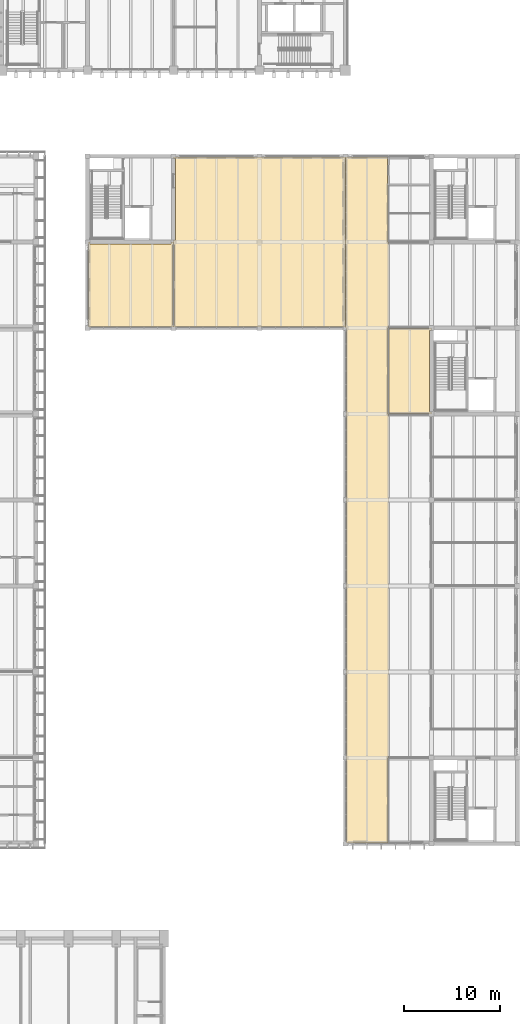
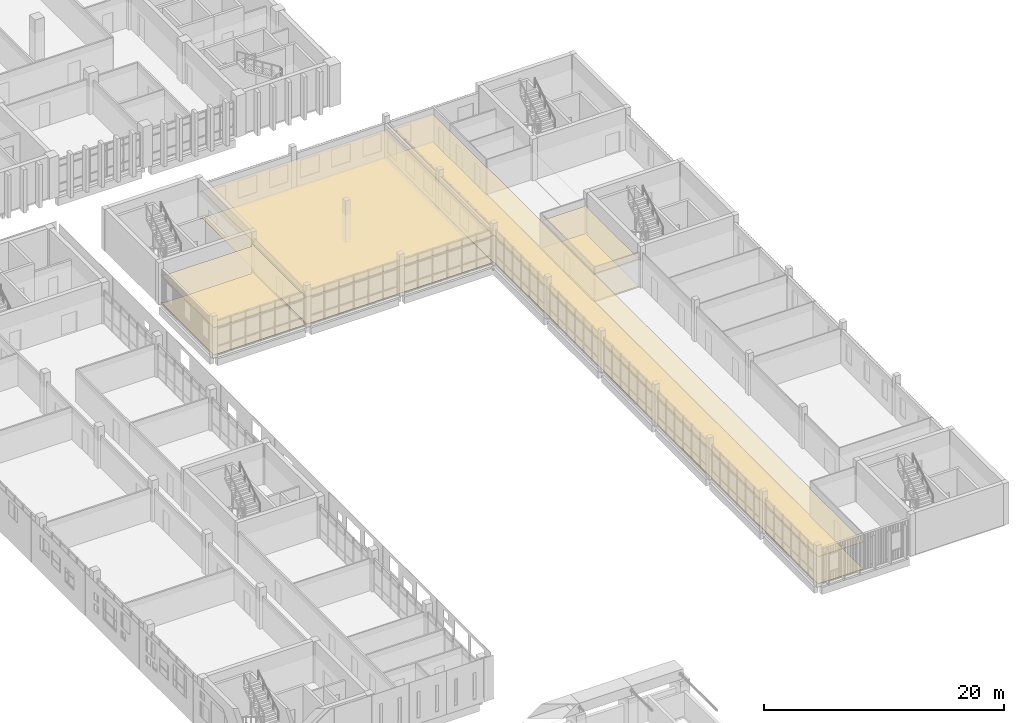
# One storey, part 82 of 92: 8 coverings.
"""IFC4 building model written with IfcOpenShell, lengths in metres."""

import ifcopenshell
import ifcopenshell.guid

model = None  # the IFC model being written
_history = None  # IfcOwnerHistory: only IFC2X3 demands one
_inside = {}  # id of a spatial element -> (the spatial element, [elements in it])
_under = {}  # id of a project, library or spatial element -> (it, [spatial elements below it])
_declared = {}  # id of a project -> (the project, [libraries it declares])
_typed = {}  # id of a type object -> (the type object, [elements of that type])
_made_of = {}  # id of a material, layer set ... -> (it, [elements and type objects made of it])


def new_model(schema):
    """Start an empty IFC model of exactly this schema.

    Asked for "IFC4X3", IfcOpenShell would pick the latest addendum, in which some entities
    have other attributes; the version numbers below select the first issue.
    IFC2X3 requires an IfcOwnerHistory on every rooted entity: one is made here for all.
    """
    global model, _history
    if schema == "IFC4X3":
        model = ifcopenshell.file(schema_version=(4, 3, 0, 0))
    else:
        model = ifcopenshell.file(schema=schema)
    _inside.clear()
    _under.clear()
    _declared.clear()
    _typed.clear()
    _made_of.clear()
    _history = None
    if model.schema == "IFC2X3":
        org = make("IfcOrganization", Name="unknown")
        user = make(
            "IfcPersonAndOrganization",
            ThePerson=make("IfcPerson", FamilyName="unknown"),
            TheOrganization=org,
        )
        app = make(
            "IfcApplication",
            ApplicationDeveloper=org,
            Version="unknown",
            ApplicationFullName="unknown",
            ApplicationIdentifier="unknown",
        )
        _history = make(
            "IfcOwnerHistory",
            OwningUser=user,
            OwningApplication=app,
            ChangeAction="ADDED",
            CreationDate=0,
        )
    return model


def make(cls, **values):
    """One entity of the class cls with the attributes given. An attribute that is None is left unset."""
    return model.create_entity(
        cls, **{name: value for name, value in values.items() if value is not None}
    )


def rooted(cls, **values):
    """An entity with a GlobalId (a new one), such as an element, a storey or a relation."""
    return make(cls, GlobalId=ifcopenshell.guid.new(), OwnerHistory=_history, **values)


def si_unit(unit_type, name, prefix=None):
    """IfcSIUnit, for example si_unit("LENGTHUNIT", "METRE", prefix="MILLI")."""
    return make("IfcSIUnit", UnitType=unit_type, Prefix=prefix, Name=name)


def assignment(units):
    """IfcUnitAssignment: the units of a project."""
    return None if units is None else make("IfcUnitAssignment", Units=units)


def point(xyz):
    """IfcCartesianPoint."""
    return None if xyz is None else make("IfcCartesianPoint", Coordinates=xyz)


def direction(xyz):
    """IfcDirection."""
    return None if xyz is None else make("IfcDirection", DirectionRatios=xyz)


def frame(location, z_axis=None, x_axis=None):
    """IfcAxis2Placement3D, a coordinate frame: its origin and axes. An axis left out is left unset."""
    return make(
        "IfcAxis2Placement3D",
        Location=point(location),
        Axis=direction(z_axis),
        RefDirection=direction(x_axis),
    )


def origin():
    """The frame at (0, 0, 0) with its axes left unset."""
    return frame((0.0, 0.0, 0.0))


def place(relative_to, where):
    """IfcLocalPlacement: puts the frame where relative to a parent placement (None: the world)."""
    return make(
        "IfcLocalPlacement", PlacementRelTo=relative_to, RelativePlacement=where
    )


def context(
    kind, dimensions, precision=None, world=None, true_north=None, identifier=None
):
    """IfcGeometricRepresentationContext, for example the 3D "Model" context."""
    return make(
        "IfcGeometricRepresentationContext",
        ContextIdentifier=identifier,
        ContextType=kind,
        CoordinateSpaceDimension=dimensions,
        Precision=precision,
        WorldCoordinateSystem=world,
        TrueNorth=true_north,
    )


def subcontext(parent, identifier, kind, view, scale=None):
    """IfcGeometricRepresentationSubContext, for example "Body" below "Model"."""
    return make(
        "IfcGeometricRepresentationSubContext",
        ContextIdentifier=identifier,
        ContextType=kind,
        ParentContext=parent,
        TargetScale=scale,
        TargetView=view,
    )


def project(units=None, contexts=None):
    """IfcProject with its units and contexts."""
    return rooted(
        "IfcProject",
        Name="project",
        RepresentationContexts=contexts,
        UnitsInContext=assignment(units),
    )


def spatial(cls, under=None, at=None, **own):
    """A site, building, storey or space (cls), placed at a placement, below another one or the project."""
    s = rooted(cls, ObjectPlacement=at, **own)
    if under is not None:
        _under.setdefault(under.id(), (under, []))[1].append(s)
    return s


def polyline(points):
    """IfcPolyline through the points."""
    return make("IfcPolyline", Points=[point(p) for p in points])


def outline(outer, holes=None, kind="AREA"):
    """IfcArbitraryClosedProfileDef: a profile drawn as a closed curve; with holes, ...WithVoids."""
    if holes is None:
        return make("IfcArbitraryClosedProfileDef", ProfileType=kind, OuterCurve=outer)
    return make(
        "IfcArbitraryProfileDefWithVoids",
        ProfileType=kind,
        OuterCurve=outer,
        InnerCurves=holes,
    )


def extrude(swept, where, along, depth):
    """IfcExtrudedAreaSolid: the profile swept, set in the frame where, extruded along a direction by depth."""
    return make(
        "IfcExtrudedAreaSolid",
        SweptArea=swept,
        Position=where,
        ExtrudedDirection=direction(along),
        Depth=depth,
    )


def shape(context_of_items, identifier, shape_type, items):
    """IfcShapeRepresentation: the items that make up one representation, for example the "Body"."""
    return make(
        "IfcShapeRepresentation",
        ContextOfItems=context_of_items,
        RepresentationIdentifier=identifier,
        RepresentationType=shape_type,
        Items=items,
    )


def material(Name=None, Category=None):
    """IfcMaterial."""
    return make("IfcMaterial", Name=Name, Category=Category)


def layer(
    of_material, thickness, ventilated=None, Name=None, Category=None, Priority=None
):
    """IfcMaterialLayer: one layer of a wall or slab, of a material (None: an air gap)."""
    return make(
        "IfcMaterialLayer",
        Material=of_material,
        LayerThickness=thickness,
        IsVentilated=ventilated,
        Name=Name,
        Category=Category,
        Priority=Priority,
    )


def layer_set(layers, Name=None):
    """IfcMaterialLayerSet."""
    return make("IfcMaterialLayerSet", MaterialLayers=layers, LayerSetName=Name)


def made_of(thing, what):
    """Note that an element or type object is made of a material, layer set ...; save() writes the relation."""
    if what is not None:
        _made_of.setdefault(what.id(), (what, []))[1].append(thing)
    return thing


def type_object(cls, material=None, **own):
    """A type object (cls), such as IfcWallType, which elements share."""
    return made_of(rooted(cls, **own), material)


def element(
    cls,
    number,
    at=None,
    inside=None,
    cuts=None,
    type_object=None,
    material=None,
    context=None,
    identifier="Body",
    shape_type=None,
    held_by="IfcProductDefinitionShape",
    body=None,
    shapes=None,
    **own,
):
    """One element of the class cls, such as IfcWall. Its Tag is "e" and its number.

    at: its placement. inside: the storey or other place that contains it. cuts: it is an
    opening in that element (IfcRelVoidsElement). A single representation is given by context,
    identifier, shape_type and body (its items); several are given by shapes. held_by: the class
    of the entity that holds the representations. save() writes the other relations.
    """
    e = rooted(cls, Tag="e%d" % number, ObjectPlacement=at, **own)
    if body is not None:
        shapes = [shape(context, identifier, shape_type, body)]
    if shapes is not None:
        e.Representation = make(held_by, Representations=shapes)
    if inside is not None:
        _inside.setdefault(inside.id(), (inside, []))[1].append(e)
    if cuts is not None:
        rooted(
            "IfcRelVoidsElement", RelatingBuildingElement=cuts, RelatedOpeningElement=e
        )
    if type_object is not None:
        _typed.setdefault(type_object.id(), (type_object, []))[1].append(e)
    return made_of(e, material)


def aggregate(whole, parts):
    """IfcRelAggregates: a whole, such as a stair, and the parts it consists of."""
    return rooted("IfcRelAggregates", RelatingObject=whole, RelatedObjects=parts)


def save(model, path):
    """Write the relations noted so far, then the file.

    IfcRelAggregates (storeys below a building ...), IfcRelContainedInSpatialStructure (elements
    in a storey), IfcRelDefinesByType, IfcRelAssociatesMaterial and IfcRelDeclares: one each for
    every whole, place, type object, material and project.
    """
    for whole, parts in _under.values():
        aggregate(whole, parts)
    for where, things in _inside.values():
        rooted(
            "IfcRelContainedInSpatialStructure",
            RelatedElements=things,
            RelatingStructure=where,
        )
    for kind, things in _typed.values():
        rooted("IfcRelDefinesByType", RelatedObjects=things, RelatingType=kind)
    for what, things in _made_of.values():
        rooted("IfcRelAssociatesMaterial", RelatedObjects=things, RelatingMaterial=what)
    for by, libraries in _declared.values():
        rooted("IfcRelDeclares", RelatingContext=by, RelatedDefinitions=libraries)
    model.write(path)


model = new_model("IFC4")

# Units and contexts
model_context = context("Model", 3, precision=1e-05, world=origin(), true_north=direction((0.0, 1.0)))
body_context = subcontext(model_context, "Body", "Model", "MODEL_VIEW")
ifc_project = project(units=[si_unit("LENGTHUNIT", "METRE"), si_unit("AREAUNIT", "SQUARE_METRE"), si_unit("VOLUMEUNIT", "CUBIC_METRE"), si_unit("PLANEANGLEUNIT", "RADIAN"), si_unit("MASSUNIT", "GRAM", prefix="KILO")], contexts=[model_context])

# Site, building, storey
site_placement = place(None, origin())
site = spatial("IfcSite", under=ifc_project, at=site_placement, CompositionType="ELEMENT")
building_placement = place(site_placement, origin())
building = spatial("IfcBuilding", under=site, at=building_placement, Name="Merrow Basin Faculty of Sciences", CompositionType="ELEMENT")
storey_placement = place(building_placement, frame((0.0, 0.0, 4.5)))
storey = spatial("IfcBuildingStorey", under=building, at=storey_placement, Name="L01", CompositionType="ELEMENT", Elevation=4.5)

# Coverings
ifc_material_1 = material(Name="Carpet tile floor")
ifc_layer_1 = layer(ifc_material_1, 0.02001953125)
ifc_layer_set_1 = layer_set([ifc_layer_1], Name="Carpet tile floor")
covering_type_1 = type_object("IfcCoveringType", Name="Carpet tile floor", PredefinedType="FLOORING", material=ifc_layer_set_1)
covering_1_placement = place(storey_placement, origin())
element("IfcCovering", 1, at=covering_1_placement, inside=storey, type_object=covering_type_1, Name="Floor finish L01-C-022", PredefinedType="FLOORING", context=body_context, shape_type="SweptSolid", body=[
    extrude(outline(polyline([(36.010009765625, 115.110107421875), (36.010009765625, 115.239990234375), (36.06005859375, 115.239990234375), (36.06005859375, 123.760009765625), (36.010009765625, 123.760009765625), (36.010009765625, 124.239990234375), (36.2099609375, 124.239990234375), (36.2099609375, 132.760009765625), (36.010009765625, 132.760009765625), (36.010009765625, 132.889892578125), (53.989990234375, 132.889892578125), (53.989990234375, 115.110107421875), (36.010009765625, 115.110107421875)])), origin(), (0.0, 0.0, 1.0), 0.02001953125),
])
covering_2_placement = place(storey_placement, origin())
element("IfcCovering", 2, at=covering_2_placement, inside=storey, type_object=covering_type_1, Name="Floor finish L01-C-023", PredefinedType="FLOORING", context=body_context, shape_type="SweptSolid", body=[
    extrude(outline(polyline([(35.989990234375, 123.760009765625), (35.93994140625, 123.760009765625), (35.93994140625, 115.239990234375), (35.989990234375, 115.239990234375), (35.989990234375, 115.110107421875), (27.110107421875, 115.110107421875), (27.110107421875, 123.989990234375), (27.239990234375, 123.989990234375), (27.239990234375, 123.7900390625), (35.760009765625, 123.7900390625), (35.760009765625, 123.989990234375), (35.989990234375, 123.989990234375), (35.989990234375, 123.760009765625)])), origin(), (0.0, 0.0, 1.0), 0.02001953125),
])
covering_3_placement = place(storey_placement, origin())
element("IfcCovering", 3, at=covering_3_placement, inside=storey, type_object=covering_type_1, Name="Floor finish L01-C-025", PredefinedType="FLOORING", context=body_context, shape_type="SweptSolid", body=[
    extrude(outline(polyline([(62.989990234375, 114.989990234375), (62.989990234375, 114.760009765625), (62.7900390625, 114.760009765625), (62.7900390625, 106.239990234375), (62.989990234375, 106.239990234375), (62.989990234375, 106.010009765625), (62.760009765625, 106.010009765625), (62.760009765625, 106.06005859375), (58.56005859375, 106.06005859375), (58.56005859375, 114.93994140625), (62.760009765625, 114.93994140625), (62.760009765625, 114.989990234375), (62.989990234375, 114.989990234375)])), origin(), (0.0, 0.0, 1.0), 0.02001953125),
])
ifc_material_2 = material(Name="Polished terrazzo floor")
ifc_layer_2 = layer(ifc_material_2, 0.02001953125)
ifc_layer_set_2 = layer_set([ifc_layer_2], Name="Polished terrazzo floor")
covering_type_2 = type_object("IfcCoveringType", Name="Polished terrazzo floor", PredefinedType="FLOORING", material=ifc_layer_set_2)
covering_4_placement = place(storey_placement, origin())
element("IfcCovering", 4, at=covering_4_placement, inside=storey, type_object=covering_type_2, Name="Floor finish L01-C-017", PredefinedType="FLOORING", context=body_context, shape_type="SweptSolid", body=[
    extrude(outline(polyline([(54.010009765625, 115.010009765625), (54.010009765625, 132.889892578125), (58.4150390625, 132.889892578125), (58.4150390625, 129.989990234375), (58.43994140625, 129.989990234375), (58.43994140625, 123.989990234375), (58.489990234375, 123.989990234375), (58.489990234375, 115.010009765625), (58.43994140625, 115.010009765625), (58.43994140625, 105.989990234375), (58.489990234375, 105.989990234375), (58.489990234375, 70.010009765625), (58.43994140625, 70.010009765625), (58.43994140625, 61.110107421875), (54.110107421875, 61.110107421875), (54.110107421875, 115.010009765625), (54.010009765625, 115.010009765625)])), origin(), (0.0, 0.0, 1.0), 0.02001953125),
])
ifc_material_3 = material(Name="Mineral fibre ceiling tile")
ifc_layer_3 = layer(ifc_material_3, 0.050048828125)
ifc_layer_set_3 = layer_set([ifc_layer_3], Name="Suspended acoustic ceiling tile")
covering_type_3 = type_object("IfcCoveringType", Name="Suspended acoustic ceiling tile", PredefinedType="CEILING", material=ifc_layer_set_3)
covering_5_placement = place(storey_placement, frame((0.0, 0.0, 2.75)))
element("IfcCovering", 5, at=covering_5_placement, inside=storey, type_object=covering_type_3, Name="Ceiling L01-C-017", PredefinedType="CEILING", context=body_context, shape_type="SweptSolid", body=[
    extrude(outline(polyline([(54.0, 115.0), (54.0, 132.89990234375), (58.425048828125, 132.89990234375), (58.425048828125, 130.0), (58.449951171875, 130.0), (58.449951171875, 124.0), (58.5, 124.0), (58.5, 115.0), (58.449951171875, 115.0), (58.449951171875, 106.0), (58.5, 106.0), (58.5, 70.0), (58.449951171875, 70.0), (58.449951171875, 61.10009765625), (54.10009765625, 61.10009765625), (54.10009765625, 115.0), (54.0, 115.0)])), origin(), (0.0, 0.0, 1.0), 0.050048828125),
])
covering_6_placement = place(storey_placement, frame((0.0, 0.0, 2.75)))
element("IfcCovering", 6, at=covering_6_placement, inside=storey, type_object=covering_type_3, Name="Ceiling L01-C-022", PredefinedType="CEILING", context=body_context, shape_type="SweptSolid", body=[
    extrude(outline(polyline([(36.0, 115.10009765625), (36.0, 115.25), (36.050048828125, 115.25), (36.050048828125, 123.75), (36.0, 123.75), (36.0, 124.25), (36.199951171875, 124.25), (36.199951171875, 132.75), (36.0, 132.75), (36.0, 132.89990234375), (54.0, 132.89990234375), (54.0, 115.10009765625), (36.0, 115.10009765625)])), origin(), (0.0, 0.0, 1.0), 0.050048828125),
])
covering_7_placement = place(storey_placement, frame((0.0, 0.0, 2.75)))
element("IfcCovering", 7, at=covering_7_placement, inside=storey, type_object=covering_type_3, Name="Ceiling L01-C-023", PredefinedType="CEILING", context=body_context, shape_type="SweptSolid", body=[
    extrude(outline(polyline([(36.0, 123.75), (35.949951171875, 123.75), (35.949951171875, 115.25), (36.0, 115.25), (36.0, 115.10009765625), (27.10009765625, 115.10009765625), (27.10009765625, 124.0), (27.25, 124.0), (27.25, 123.800048828125), (35.75, 123.800048828125), (35.75, 124.0), (36.0, 124.0), (36.0, 123.75)])), origin(), (0.0, 0.0, 1.0), 0.050048828125),
])
covering_8_placement = place(storey_placement, frame((0.0, 0.0, 2.75)))
element("IfcCovering", 8, at=covering_8_placement, inside=storey, type_object=covering_type_3, Name="Ceiling L01-C-025", PredefinedType="CEILING", context=body_context, shape_type="SweptSolid", body=[
    extrude(outline(polyline([(63.0, 115.0), (63.0, 114.75), (62.800048828125, 114.75), (62.800048828125, 106.25), (63.0, 106.25), (63.0, 106.0), (62.75, 106.0), (62.75, 106.050048828125), (58.550048828125, 106.050048828125), (58.550048828125, 114.949951171875), (62.75, 114.949951171875), (62.75, 115.0), (63.0, 115.0)])), origin(), (0.0, 0.0, 1.0), 0.050048828125),
])

save(model, "model.ifc")
